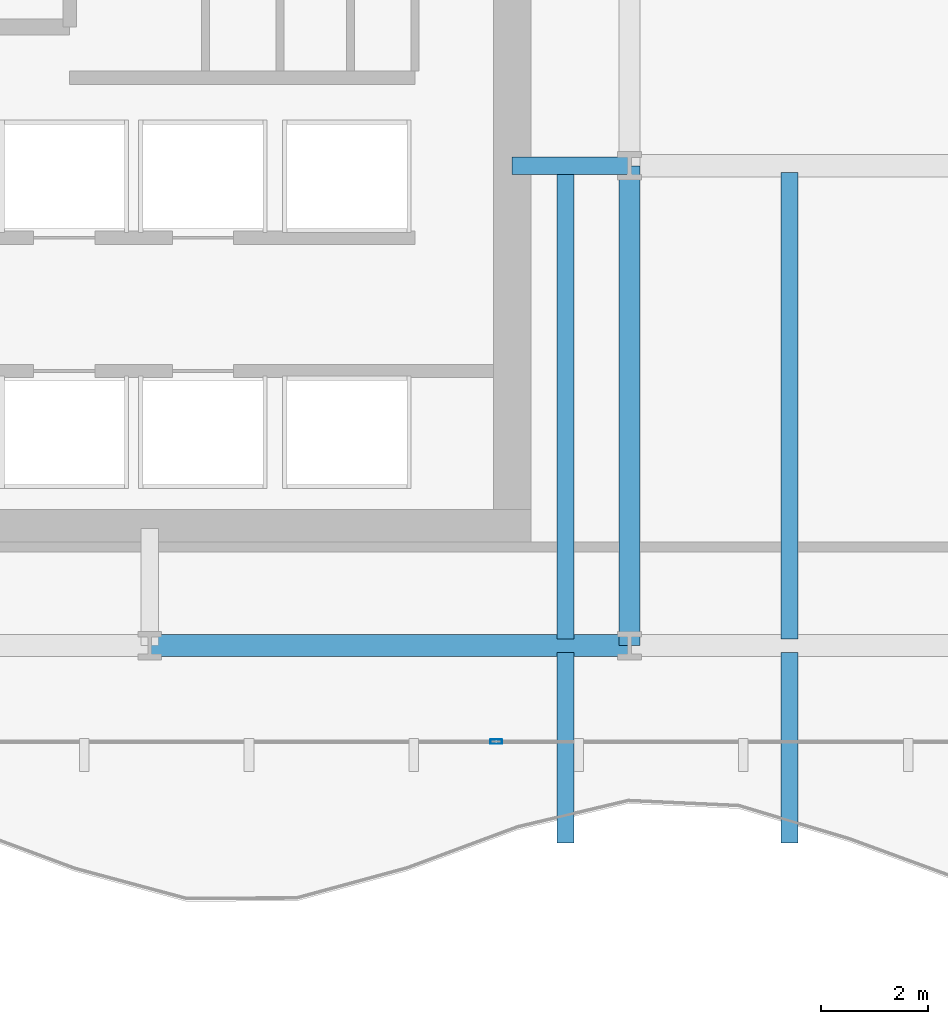
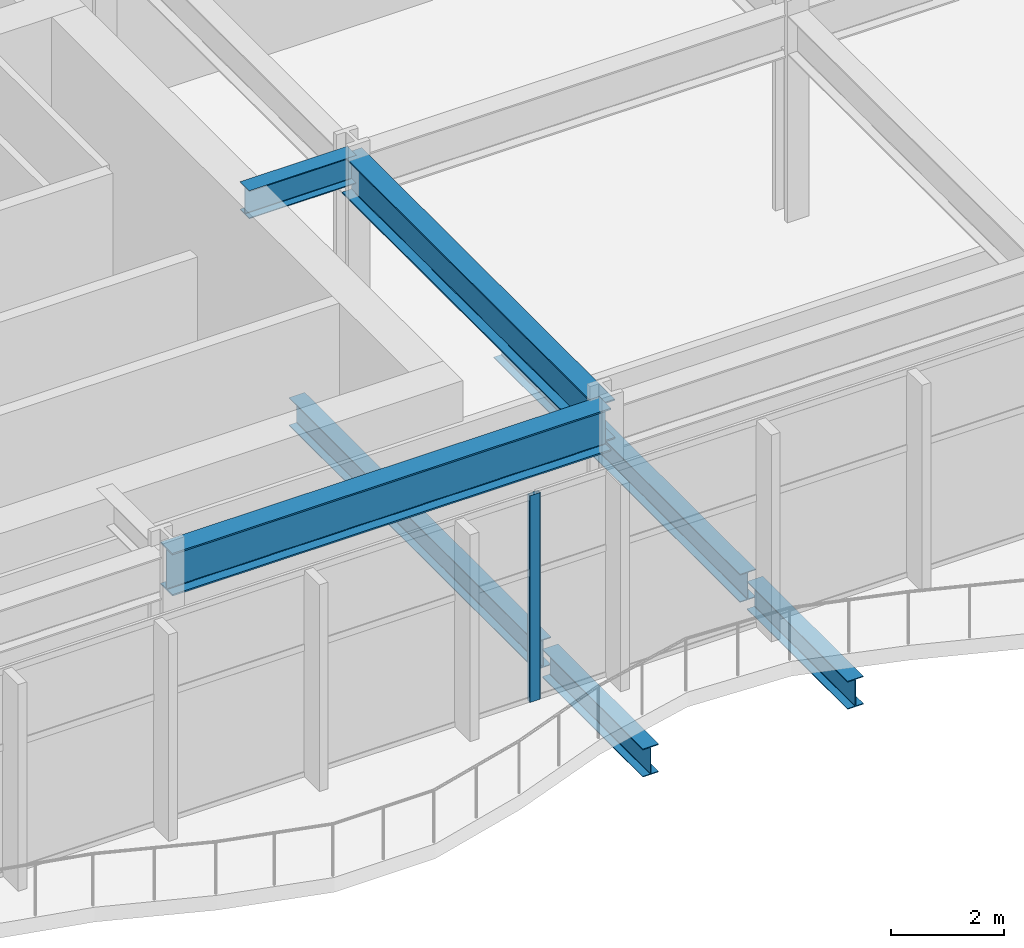
# One storey, part 7 of 29: 7 beams, 1 member, 1 element without a shape of its own.
"""IFC4 building model written with IfcOpenShell, lengths in metres."""

from ifc_helpers import new_model, si_unit, direction, frame, origin, origin_2d, place, context, subcontext, project, spatial, hollow_rectangle, i_section, extrude, material, layer, layer_set, material_profile, profile_set, type_object, element, aggregate, save


model = new_model("IFC4")

# Units and contexts
model_context = context("Model", 3, precision=1e-05, world=origin(), true_north=direction((0.0, 1.0)))
body_context = subcontext(model_context, "Body", "Model", "MODEL_VIEW")
ifc_project = project(units=[si_unit("LENGTHUNIT", "METRE"), si_unit("AREAUNIT", "SQUARE_METRE"), si_unit("VOLUMEUNIT", "CUBIC_METRE"), si_unit("PLANEANGLEUNIT", "RADIAN"), si_unit("MASSUNIT", "GRAM", prefix="KILO")], contexts=[model_context])

# Site, building, storey
site_placement = place(None, origin())
site = spatial("IfcSite", under=ifc_project, at=site_placement, CompositionType="ELEMENT")
building_placement = place(site_placement, origin())
building = spatial("IfcBuilding", under=site, at=building_placement, Name="Solvaryn Broadcast Tower", CompositionType="ELEMENT")
storey_placement = place(building_placement, frame((0.0, 0.0, 21.199951171875)))
storey = spatial("IfcBuildingStorey", under=building, at=storey_placement, Name="L04", CompositionType="ELEMENT", Elevation=21.199951171875)

# Beams
ifc_material_1 = material(Name="Steel ASTM A992 Grade 50", Category="steel")
ifc_material_profile_1 = material_profile(ifc_material_1, i_section(OverallWidth=0.323974609375, OverallDepth=0.611083984375, WebThickness=0.0126953125, FlangeThickness=0.01904296875, FilletRadius=0.014892578125, at=origin_2d()))
ifc_profile_set_1 = profile_set([ifc_material_profile_1], Name="Steel ASTM A992 Grade 50")
beam_type_1 = type_object("IfcBeamType", Name="BM-B1-W24X104", PredefinedType="BEAM", material=ifc_profile_set_1)
for number, where, z_axis, x_axis, name in (
    (1, (43.800048828125, 17.875, -0.62548828125), (0.0, -1.0, 0.0), (1.0, 0.0, 0.0), "L04 Terrace Back-Span Beam X43.8"),
    (2, (48.0, 17.875, -0.62548828125), (0.0, -1.0, 0.0), (1.0, 0.0, 0.0), "L04 Terrace Back-Span Beam X48.0"),
):
    element("IfcBeam", number, at=place(storey_placement, frame(where, z_axis=z_axis, x_axis=x_axis)), inside=storey, type_object=beam_type_1, Name=name, PredefinedType="BEAM", context=body_context, shape_type="SweptSolid", body=[
        extrude(i_section(OverallWidth=0.323974609375, OverallDepth=0.611083984375, WebThickness=0.0126953125, FlangeThickness=0.01904296875, FilletRadius=0.014892578125, at=origin_2d()), origin(), (0.0, 0.0, 1.0), 8.75),
    ])
beam_1_placement = place(storey_placement, frame((42.800048828125, 18.0, 4.174560546875), z_axis=(1.0, 0.0, 0.0), x_axis=(0.0, 1.0, 0.0)))
element("IfcBeam", 3, at=beam_1_placement, inside=storey, type_object=beam_type_1, Name="L04 Core Tie Beam CTE3", PredefinedType="BEAM", context=body_context, shape_type="SweptSolid", body=[
    extrude(i_section(OverallWidth=0.323974609375, OverallDepth=0.611083984375, WebThickness=0.0126953125, FlangeThickness=0.01904296875, FilletRadius=0.014892578125, at=origin_2d()), origin(), (0.0, 0.0, 1.0), 2.199951171875),
])
ifc_material_2 = material(Name="Steel ASTM A992 Grade 50", Category="steel")
ifc_material_profile_2 = material_profile(ifc_material_2, i_section(OverallWidth=0.323974609375, OverallDepth=0.611083984375, WebThickness=0.0126953125, FlangeThickness=0.01904296875, FilletRadius=0.014892578125, at=origin_2d()))
ifc_profile_set_2 = profile_set([ifc_material_profile_2], Name="Steel ASTM A992 Grade 50")
beam_type_2 = type_object("IfcBeamType", Name="BM-CANT-TER", PredefinedType="BEAM", material=ifc_profile_set_2)
for number, where, z_axis, x_axis, name in (
    (4, (43.800048828125, 8.875, -0.62548828125), (0.0, -1.0, 0.0), (1.0, 0.0, 0.0), "L04 Terrace Cantilever Beam X43.8"),
    (5, (48.0, 8.875, -0.62548828125), (0.0, -1.0, 0.0), (1.0, 0.0, 0.0), "L04 Terrace Cantilever Beam X48.0"),
):
    element("IfcBeam", number, at=place(storey_placement, frame(where, z_axis=z_axis, x_axis=x_axis)), inside=storey, type_object=beam_type_2, Name=name, PredefinedType="BEAM", context=body_context, shape_type="SweptSolid", body=[
        extrude(i_section(OverallWidth=0.323974609375, OverallDepth=0.611083984375, WebThickness=0.0126953125, FlangeThickness=0.01904296875, FilletRadius=0.014892578125, at=origin_2d()), origin(), (0.0, 0.0, 1.0), 3.574951171875),
    ])
ifc_material_3 = material(Name="Steel ASTM A992 Grade 50", Category="steel")
ifc_material_profile_3 = material_profile(ifc_material_3, i_section(OverallWidth=0.41796875, OverallDepth=0.927001953125, WebThickness=0.019287109375, FlangeThickness=0.031982421875, FilletRadius=0.02392578125, at=origin_2d()))
ifc_profile_set_3 = profile_set([ifc_material_profile_3], Name="Steel ASTM A992 Grade 50")
beam_type_3 = type_object("IfcBeamType", Name="BM-G2-W36X231", PredefinedType="BEAM", material=ifc_profile_set_3)
beam_2_placement = place(storey_placement, frame((36.0, 9.0, 4.0166015625), z_axis=(1.0, 0.0, 0.0), x_axis=(0.0, 1.0, 0.0)))
element("IfcBeam", 6, at=beam_2_placement, inside=storey, type_object=beam_type_3, Name="L04 Primary Beam X (36-45 @ Y=9)", PredefinedType="BEAM", context=body_context, shape_type="SweptSolid", body=[
    extrude(i_section(OverallWidth=0.41796875, OverallDepth=0.927001953125, WebThickness=0.019287109375, FlangeThickness=0.031982421875, FilletRadius=0.02392578125, at=origin_2d()), origin(), (0.0, 0.0, 1.0), 9.0),
])
ifc_material_4 = material(Name="Steel ASTM A992 Grade 50", Category="steel")
ifc_material_profile_4 = material_profile(ifc_material_4, i_section(OverallWidth=0.39990234375, OverallDepth=0.85498046875, WebThickness=0.018310546875, FlangeThickness=0.029296875, FilletRadius=0.02001953125, at=origin_2d()))
ifc_profile_set_4 = profile_set([ifc_material_profile_4], Name="Steel ASTM A992 Grade 50")
beam_type_4 = type_object("IfcBeamType", Name="BM-G3-W33X201", PredefinedType="BEAM", material=ifc_profile_set_4)
beam_3_placement = place(storey_placement, frame((45.0, 9.0, 4.052490234375), z_axis=(0.0, 1.0, 0.0), x_axis=(-1.0, 0.0, 0.0)))
element("IfcBeam", 7, at=beam_3_placement, inside=storey, type_object=beam_type_4, Name="L04 Primary Beam Y (9-18 @ X=45)", PredefinedType="BEAM", context=body_context, shape_type="SweptSolid", body=[
    extrude(i_section(OverallWidth=0.39990234375, OverallDepth=0.85498046875, WebThickness=0.018310546875, FlangeThickness=0.029296875, FilletRadius=0.02001953125, at=origin_2d()), origin(), (0.0, 0.0, 1.0), 9.0),
])

# Curtain wall, member
ifc_material_5 = material(Name="Aluminium and Terracotta Unitised Curtain Wall", Category="masonry")
ifc_layer = layer(ifc_material_5, 0.219970703125)
ifc_layer_set = layer_set([ifc_layer], Name="CW-SYS1-PODIUM")
curtain_wall_type = type_object("IfcCurtainWallType", Name="CW-SYS1-PODIUM", PredefinedType="NOTDEFINED", material=ifc_layer_set)
curtain_wall_placement = place(storey_placement, origin())
curtain_wall = element("IfcCurtainWall", 8, at=curtain_wall_placement, inside=storey, type_object=curtain_wall_type, Name="L04 Podium Curtain Wall S1", PredefinedType="NOTDEFINED")
ifc_material_6 = material(Name="Anodised Aluminium 6063-T6", Category="aluminium")
ifc_material_profile_5 = material_profile(ifc_material_6, hollow_rectangle(XDim=0.0849609375, YDim=0.219970703125, WallThickness=0.0048828125, InnerFilletRadius=0.0048828125, OuterFilletRadius=0.010009765625, at=origin_2d()))
ifc_profile_set_5 = profile_set([ifc_material_profile_5], Name="Anodised Aluminium 6063-T6")
member_type = type_object("IfcMemberType", Name="CW-MUL-220", PredefinedType="MULLION", material=ifc_profile_set_5)
member_placement = place(storey_placement, frame((42.5, 7.199951171875, 0.0), z_axis=(0.0, 0.0, 1.0), x_axis=(0.0, -1.0, 0.0)))
member = element("IfcMember", 9, at=member_placement, type_object=member_type, Name="CWS1 mullion 2", PredefinedType="MULLION", context=body_context, shape_type="SweptSolid", body=[
    extrude(hollow_rectangle(XDim=0.0849609375, YDim=0.219970703125, WallThickness=0.0048828125, InnerFilletRadius=0.0048828125, OuterFilletRadius=0.010009765625, at=origin_2d()), origin(), (0.0, 0.0, 1.0), 4.47998046875),
])
aggregate(curtain_wall, [member])

save(model, "model.ifc")
